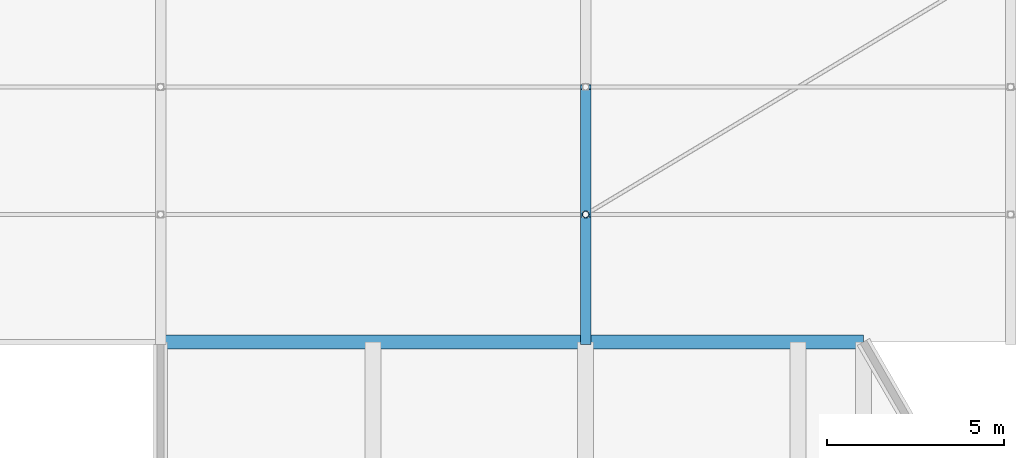
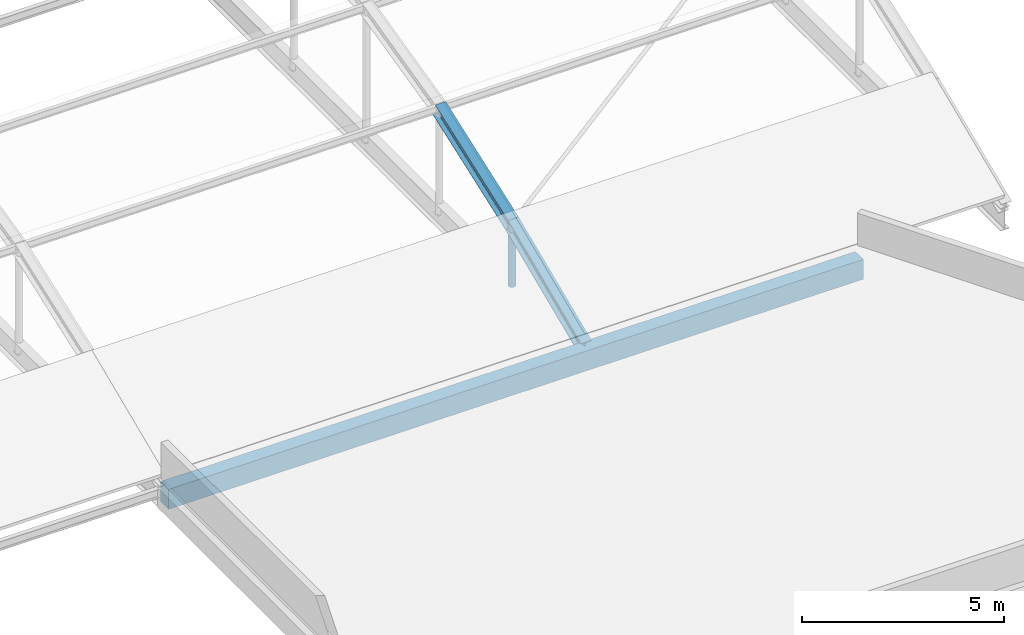
# One storey, part 171 of 239: 3 beams, 1 member.
"""IFC4 building model written with IfcOpenShell, lengths in metres."""

from ifc_helpers import new_model, si_unit, direction, frame, origin, origin_2d, place, context, subcontext, project, spatial, rectangle, hollow_circle, i_section, extrude, material, material_profile, profile_set, type_object, element, save


model = new_model("IFC4")

# Units and contexts
model_context = context("Model", 3, precision=1e-05, world=origin(), true_north=direction((0.0, 1.0)))
body_context = subcontext(model_context, "Body", "Model", "MODEL_VIEW")
ifc_project = project(units=[si_unit("LENGTHUNIT", "METRE"), si_unit("AREAUNIT", "SQUARE_METRE"), si_unit("VOLUMEUNIT", "CUBIC_METRE"), si_unit("PLANEANGLEUNIT", "RADIAN"), si_unit("MASSUNIT", "GRAM", prefix="KILO")], contexts=[model_context])

# Site, building, storey
site_placement = place(None, origin())
site = spatial("IfcSite", under=ifc_project, at=site_placement, CompositionType="ELEMENT")
building_placement = place(site_placement, origin())
building = spatial("IfcBuilding", under=site, at=building_placement, Name="Dunvalen Ferry Terminal", CompositionType="ELEMENT")
storey_placement = place(building_placement, frame((0.0, 0.0, 9.840087890625)))
storey = spatial("IfcBuildingStorey", under=building, at=storey_placement, Name="L02", CompositionType="ELEMENT", Elevation=9.840087890625)

# Beams
ifc_material_1 = material(Name="Steel S355", Category="steel")
ifc_material_profile_1 = material_profile(ifc_material_1, i_section(OverallWidth=0.300048828125, OverallDepth=0.389892578125, WebThickness=0.010986328125, FlangeThickness=0.01904296875, FilletRadius=0.027099609375, at=origin_2d()), Name="Steel S355")
ifc_profile_set_1 = profile_set([ifc_material_profile_1], Name="Steel S355")
beam_type_1 = type_object("IfcBeamType", Name="STR-BM-HEA400", PredefinedType="BEAM", material=ifc_profile_set_1)
beam_1_placement = place(storey_placement, frame((156.0, 57.60009765625, 0.0), z_axis=(0.0, 0.920277550042, 0.391266189299), x_axis=(-1.0, 0.0, 0.0)))
element("IfcBeam", 1, at=beam_1_placement, inside=storey, type_object=beam_type_1, Name="Arrivals Hall Barrel-Vault Arch Rib 05.1", PredefinedType="BEAM", context=body_context, shape_type="SweptSolid", body=[
    extrude(i_section(OverallWidth=0.300048828125, OverallDepth=0.389892578125, WebThickness=0.010986328125, FlangeThickness=0.01904296875, FilletRadius=0.027099609375, at=origin_2d()), origin(), (0.0, 0.0, 1.0), 3.91162109375),
])
beam_2_placement = place(storey_placement, frame((156.0, 61.199951171875, 1.530517578125), z_axis=(0.0, 0.940736051004, 0.33913962072), x_axis=(-1.0, 0.0, 0.0)))
element("IfcBeam", 2, at=beam_2_placement, inside=storey, type_object=beam_type_1, Name="Arrivals Hall Barrel-Vault Arch Rib 05.2", PredefinedType="BEAM", context=body_context, shape_type="SweptSolid", body=[
    extrude(i_section(OverallWidth=0.300048828125, OverallDepth=0.389892578125, WebThickness=0.010986328125, FlangeThickness=0.01904296875, FilletRadius=0.027099609375, at=origin_2d()), origin(), (0.0, 0.0, 1.0), 3.826904296875),
])
ifc_material_2 = material(Name="Concrete C35/45", Category="concrete")
ifc_material_profile_2 = material_profile(ifc_material_2, rectangle(XDim=0.39990234375, YDim=0.60009765625, at=origin_2d()), Name="Concrete C35/45")
ifc_profile_set_2 = profile_set([ifc_material_profile_2], Name="Concrete C35/45")
beam_type_2 = type_object("IfcBeamType", Name="STR-BM-RCB600", PredefinedType="BEAM", material=ifc_profile_set_2)
beam_3_placement = place(storey_placement, frame((163.843017578125, 57.60009765625, -0.300048828125), z_axis=(-1.0, 0.0, 0.0), x_axis=(0.0, -1.0, 0.0)))
element("IfcBeam", 3, at=beam_3_placement, inside=storey, type_object=beam_type_2, Name="L02 Customs Annex Ring Beam 04", PredefinedType="BEAM", context=body_context, shape_type="SweptSolid", body=[
    extrude(rectangle(XDim=0.39990234375, YDim=0.60009765625, at=origin_2d()), origin(), (0.0, 0.0, 1.0), 19.843017578125),
])

# Member
ifc_material_profile_3 = material_profile(ifc_material_1, hollow_circle(Radius=0.096923828125, WallThickness=0.008056640625, at=origin_2d()), Name="Steel S355")
ifc_profile_set_3 = profile_set([ifc_material_profile_3], Name="Steel S355")
member_type = type_object("IfcMemberType", Name="STR-MB-CHS193", PredefinedType="STRUT", material=ifc_profile_set_3)
member_placement = place(storey_placement, frame((156.0, 61.199951171875, -0.340087890625), z_axis=(0.0, 0.0, 1.0), x_axis=(1.0, 0.0, 0.0)))
element("IfcMember", 4, at=member_placement, inside=storey, type_object=member_type, Name="Arrivals Hall Vault Hanger 05.1", PredefinedType="STRUT", context=body_context, shape_type="SweptSolid", body=[
    extrude(hollow_circle(Radius=0.096923828125, WallThickness=0.008056640625, at=origin_2d()), origin(), (0.0, 0.0, 1.0), 1.87060546875),
])

save(model, "model.ifc")
